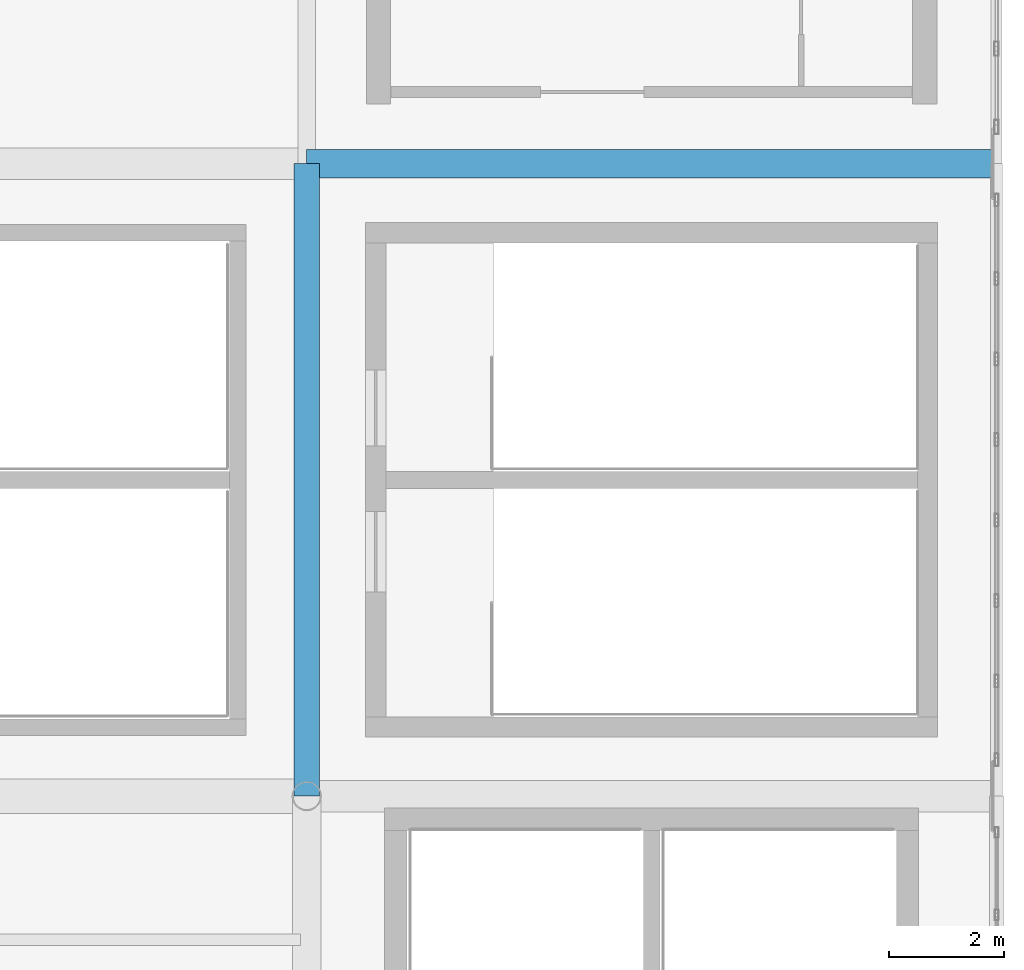
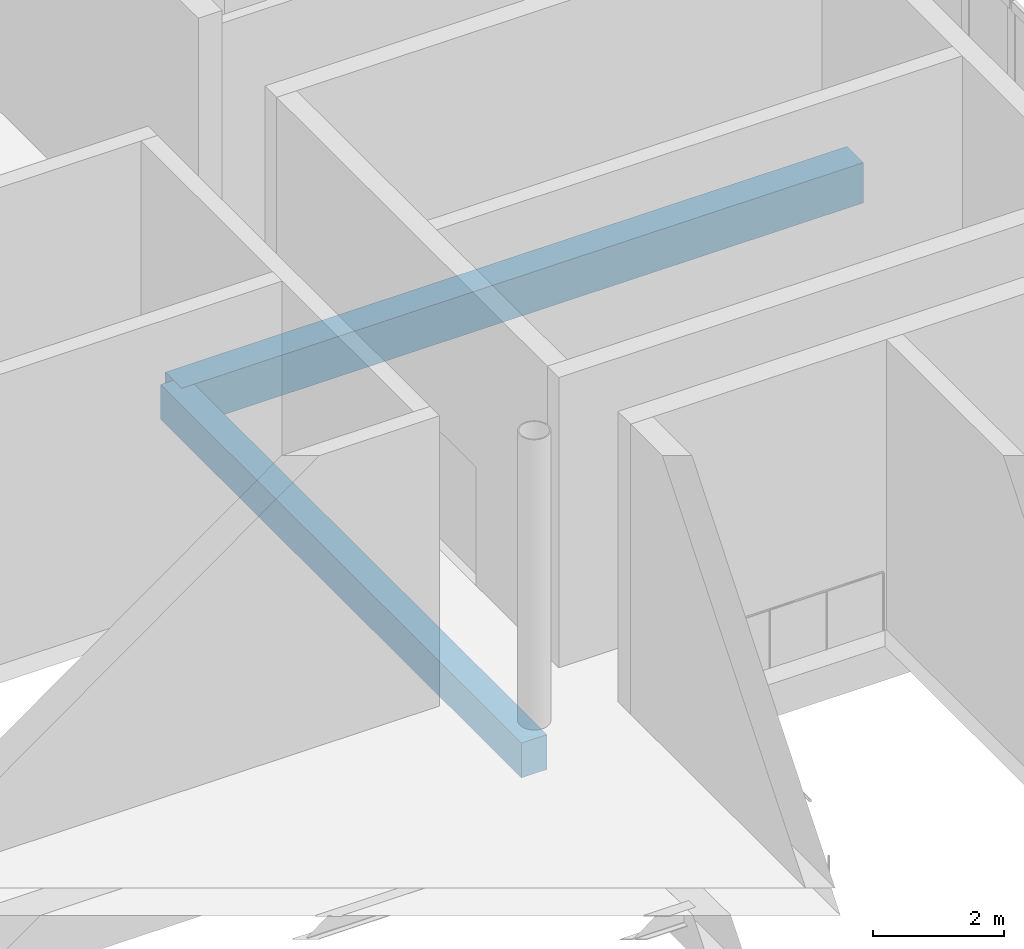
# One storey, part 30 of 74: 2 beams.
"""IFC4 building model written with IfcOpenShell, lengths in metres."""

from ifc_helpers import new_model, si_unit, direction, frame, origin, origin_2d, place, context, subcontext, project, spatial, rectangle, extrude, material, material_profile, profile_set, type_object, element, save


model = new_model("IFC4")

# Units and contexts
model_context = context("Model", 3, precision=1e-05, world=origin(), true_north=direction((0.0, 1.0)))
body_context = subcontext(model_context, "Body", "Model", "MODEL_VIEW")
ifc_project = project(units=[si_unit("LENGTHUNIT", "METRE"), si_unit("AREAUNIT", "SQUARE_METRE"), si_unit("VOLUMEUNIT", "CUBIC_METRE"), si_unit("PLANEANGLEUNIT", "RADIAN"), si_unit("MASSUNIT", "GRAM", prefix="KILO")], contexts=[model_context])

# Site, building, storey
site_placement = place(None, origin())
site = spatial("IfcSite", under=ifc_project, at=site_placement, CompositionType="ELEMENT")
building_placement = place(site_placement, origin())
building = spatial("IfcBuilding", under=site, at=building_placement, Name="Brinegate Civic Arena", CompositionType="ELEMENT")
storey_placement = place(building_placement, frame((0.0, 0.0, 19.199951171875)))
storey = spatial("IfcBuildingStorey", under=building, at=storey_placement, Name="L04", CompositionType="ELEMENT", Elevation=19.199951171875)

# Beams
ifc_material = material(Name="Concrete C50/60", Category="concrete")
ifc_material_profile_1 = material_profile(ifc_material, rectangle(XDim=0.449951171875, YDim=0.64990234375, at=origin_2d()), Name="RCB450X650")
ifc_profile_set_1 = profile_set([ifc_material_profile_1], Name="Concrete C50/60")
beam_type_1 = type_object("IfcBeamType", Name="RCG-450X650", PredefinedType="BEAM", material=ifc_profile_set_1)
beam_1_placement = place(storey_placement, frame((156.0, 20.0, -0.6650390625), z_axis=(0.0, 1.0, 0.0), x_axis=(-1.0, 0.0, 0.0)))
element("IfcBeam", 1, at=beam_1_placement, inside=storey, type_object=beam_type_1, Name="Floor Girder BM-L04-GY-13-02", PredefinedType="BEAM", context=body_context, shape_type="SweptSolid", body=[
    extrude(rectangle(XDim=0.449951171875, YDim=0.64990234375, at=origin_2d()), origin(), (0.0, 0.0, 1.0), 11.0),
])
ifc_material_profile_2 = material_profile(ifc_material, rectangle(XDim=0.5, YDim=0.75, at=origin_2d()), Name="RCB500X750")
ifc_profile_set_2 = profile_set([ifc_material_profile_2], Name="Concrete C50/60")
beam_type_2 = type_object("IfcBeamType", Name="RCG-500X750", PredefinedType="BEAM", material=ifc_profile_set_2)
beam_2_placement = place(storey_placement, frame((156.0, 31.0, -0.71484375), z_axis=(1.0, 0.0, 0.0), x_axis=(0.0, 1.0, 0.0)))
element("IfcBeam", 2, at=beam_2_placement, inside=storey, type_object=beam_type_2, Name="Floor Girder BM-L04-GX-13-03", PredefinedType="BEAM", context=body_context, shape_type="SweptSolid", body=[
    extrude(rectangle(XDim=0.5, YDim=0.75, at=origin_2d()), origin(), (0.0, 0.0, 1.0), 12.0),
])

save(model, "model.ifc")
